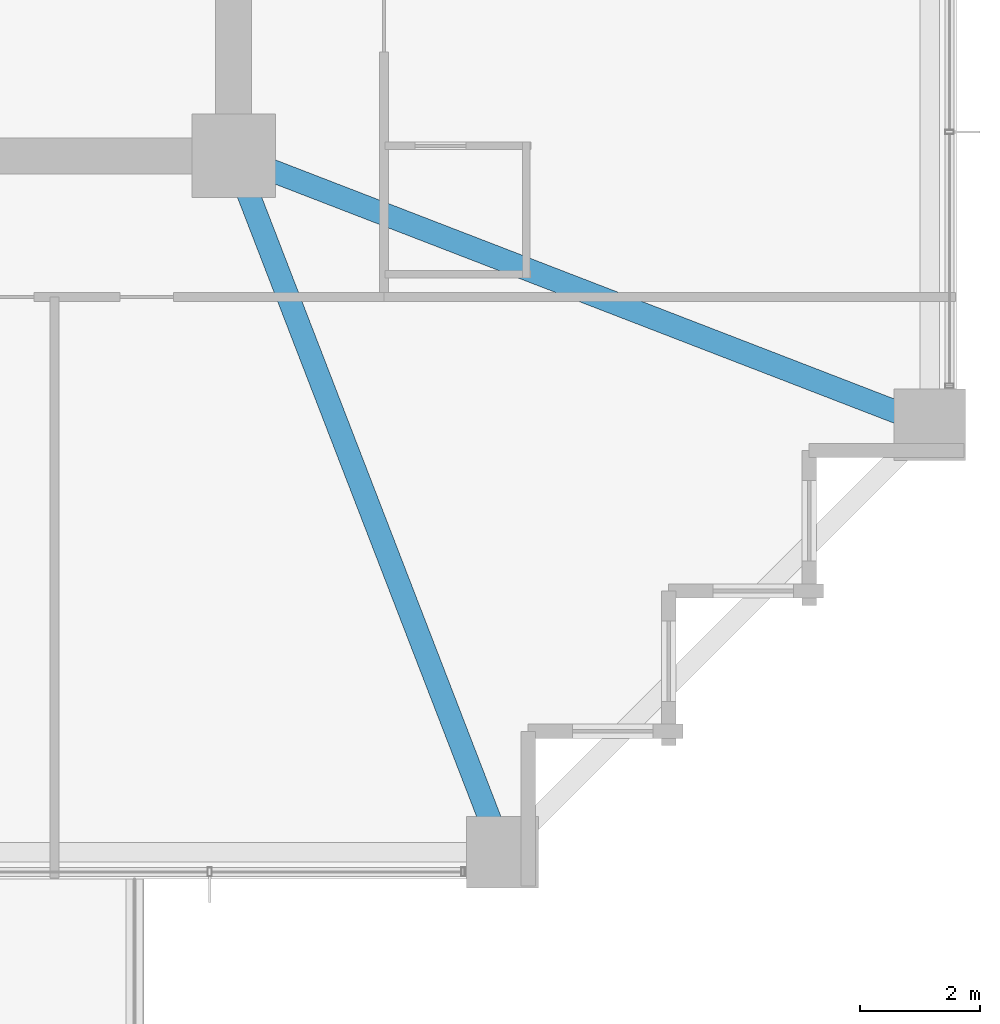
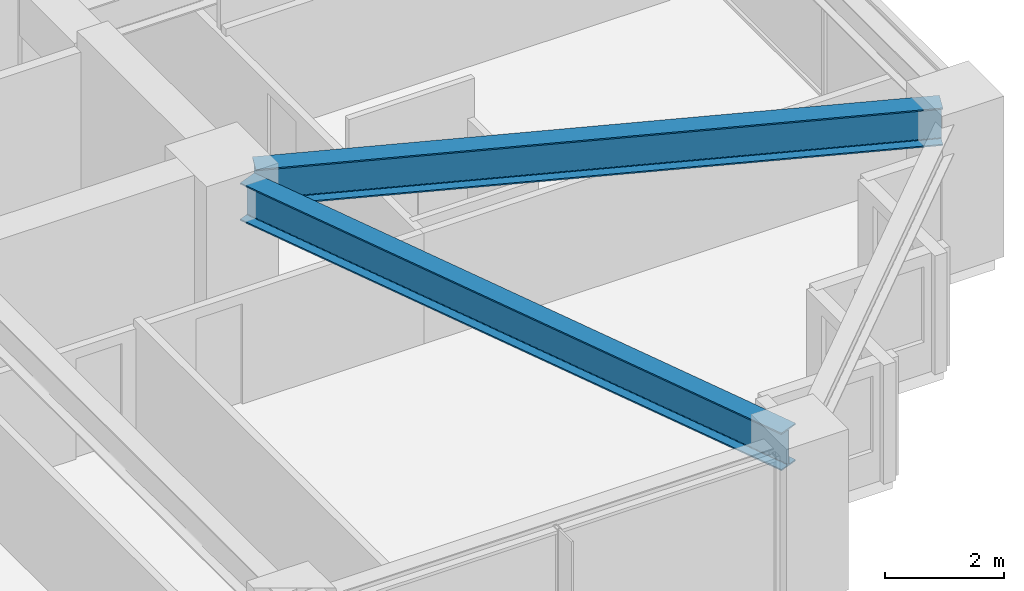
# One storey, part 12 of 38: 2 beams.
"""IFC4 building model written with IfcOpenShell, lengths in metres."""

from ifc_helpers import new_model, si_unit, direction, frame, origin, origin_2d, place, context, subcontext, project, spatial, i_section, extrude, material, material_profile, profile_set, type_object, element, save


model = new_model("IFC4")

# Units and contexts
model_context = context("Model", 3, precision=1e-05, world=origin(), true_north=direction((0.0, 1.0)))
body_context = subcontext(model_context, "Body", "Model", "MODEL_VIEW")
ifc_project = project(units=[si_unit("LENGTHUNIT", "METRE"), si_unit("AREAUNIT", "SQUARE_METRE"), si_unit("VOLUMEUNIT", "CUBIC_METRE"), si_unit("PLANEANGLEUNIT", "RADIAN"), si_unit("MASSUNIT", "GRAM", prefix="KILO")], contexts=[model_context])

# Site, building, storey
site_placement = place(None, origin())
site = spatial("IfcSite", under=ifc_project, at=site_placement, CompositionType="ELEMENT")
building_placement = place(site_placement, origin())
building = spatial("IfcBuilding", under=site, at=building_placement, Name="Kolvaren Belvedere", CompositionType="ELEMENT")
storey_placement = place(building_placement, frame((0.0, 0.0, 30.39990234375)))
storey = spatial("IfcBuildingStorey", under=building, at=storey_placement, Name="L08", CompositionType="ELEMENT", Elevation=30.39990234375)

# Beams
ifc_material = material(Name="Structural steel ASTM A992 Grade 50", Category="steel")
ifc_material_profile = material_profile(ifc_material, i_section(OverallWidth=0.381103515625, OverallDepth=0.77294921875, WebThickness=0.0166015625, FlangeThickness=0.027099609375, FilletRadius=0.02392578125, at=origin_2d()), Name="W30X173")
ifc_profile_set = profile_set([ifc_material_profile], Name="Structural steel ASTM A992 Grade 50")
beam_type = type_object("IfcBeamType", Name="BM-GIRD-W30X173", PredefinedType="BEAM", material=ifc_profile_set)
for number, where, z_axis, x_axis, name in (
    (1, (10.09814453125, -10.4130859375, 2.673583984375), (0.360318391835, -0.932829382313, 0.0), (0.932829382313, 0.360318391835, 0.0), "L08 Corner Core-to-Perimeter Girder CC2-S4"),
    (2, (10.4130859375, -10.09814453125, 2.673583984375), (0.932829382313, -0.360318391835, 0.0), (0.360318391835, 0.932829382313, 0.0), "L08 Corner Core-to-Perimeter Girder CC2-E1"),
):
    element("IfcBeam", number, at=place(storey_placement, frame(where, z_axis=z_axis, x_axis=x_axis)), inside=storey, type_object=beam_type, Name=name, PredefinedType="BEAM", context=body_context, shape_type="SweptSolid", body=[
        extrude(i_section(OverallWidth=0.381103515625, OverallDepth=0.77294921875, WebThickness=0.0166015625, FlangeThickness=0.027099609375, FilletRadius=0.02392578125, at=origin_2d()), origin(), (0.0, 0.0, 1.0), 11.698974609375),
    ])

save(model, "model.ifc")
